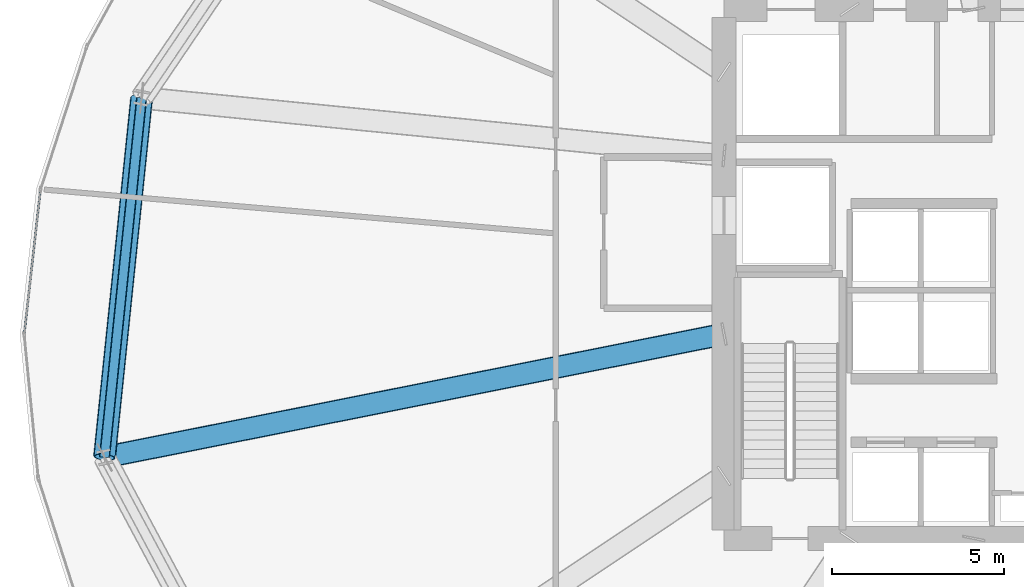
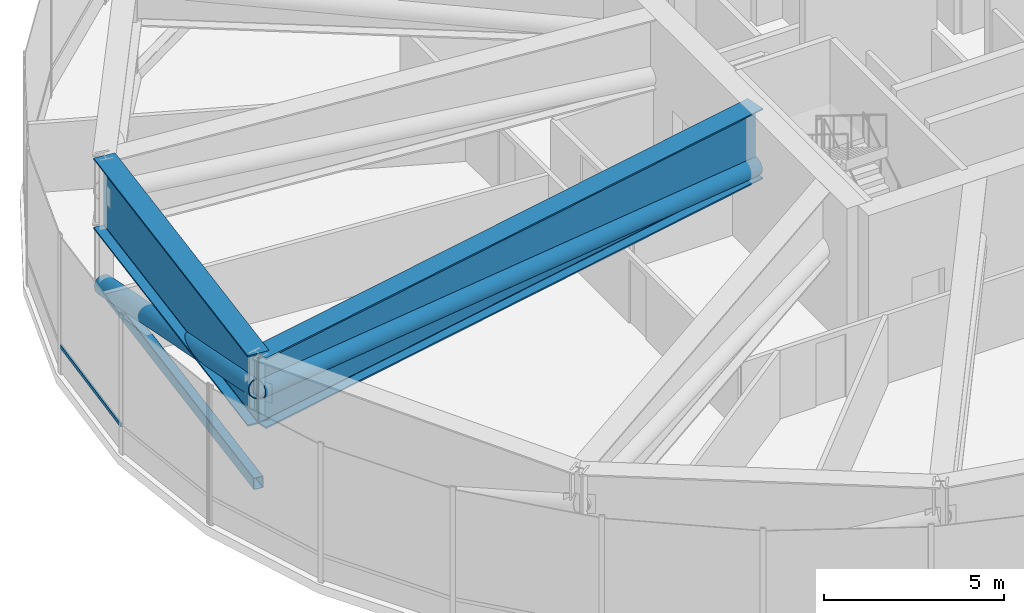
# One storey, part 8 of 33: 4 members, 2 beams, 1 element without a shape of its own.
"""IFC4 building model written with IfcOpenShell, lengths in metres."""

from ifc_helpers import new_model, si_unit, direction, frame, origin, origin_2d, place, context, subcontext, project, spatial, hollow_rectangle, hollow_circle, i_section, extrude, source, transform, mapped, material, layer, layer_set, material_profile, profile_set, type_object, element, aggregate, save


model = new_model("IFC4")

# Units and contexts
model_context = context("Model", 3, precision=1e-05, world=origin(), true_north=direction((0.0, 1.0)))
body_context = subcontext(model_context, "Body", "Model", "MODEL_VIEW")
ifc_project = project(units=[si_unit("LENGTHUNIT", "METRE"), si_unit("AREAUNIT", "SQUARE_METRE"), si_unit("VOLUMEUNIT", "CUBIC_METRE"), si_unit("PLANEANGLEUNIT", "RADIAN"), si_unit("MASSUNIT", "GRAM", prefix="KILO"), si_unit("THERMODYNAMICTEMPERATUREUNIT", "KELVIN")], contexts=[model_context])

# Site, building, storey
site_placement = place(None, origin())
site = spatial("IfcSite", under=ifc_project, at=site_placement, CompositionType="ELEMENT")
building_placement = place(site_placement, origin())
building = spatial("IfcBuilding", under=site, at=building_placement, Name="Kethvar Cultural Tower", CompositionType="ELEMENT")
storey_placement = place(building_placement, frame((0.0, 0.0, 80.39990234375)))
storey = spatial("IfcBuildingStorey", under=building, at=storey_placement, Name="L19", CompositionType="ELEMENT", Elevation=80.39990234375)

# Beam
ifc_material_1 = material(Name="Steel S460M", Category="steel")
ifc_material_profile_1 = material_profile(ifc_material_1, i_section(OverallWidth=0.64990234375, OverallDepth=2.39990234375, WebThickness=0.030029296875, FlangeThickness=0.048095703125, FilletRadius=0.02197265625, at=origin_2d()), Name="Steel S460M — PG2400x650x48x30")
ifc_profile_set_1 = profile_set([ifc_material_profile_1], Name="Steel S460M — PG2400x650x48x30")
beam_type = type_object("IfcBeamType", Name="BM-TR2400", PredefinedType="BEAM", material=ifc_profile_set_1)
shared_shape_1 = source(origin(), body_context, "Body", "SweptSolid", [
    extrude(i_section(OverallWidth=0.64990234375, OverallDepth=2.39990234375, WebThickness=0.030029296875, FlangeThickness=0.048095703125, FilletRadius=0.02197265625, at=origin_2d()), origin(), (0.0, 0.0, 1.0), 10.515869140625),
])
beam_1_placement = place(storey_placement, frame((21.047119140625, 32.922607421875, 3.55810546875), z_axis=(-0.102824694973, -0.994699493367, 0.0), x_axis=(0.994699493367, -0.102824694973, 0.0)))
element("IfcBeam", 1, at=beam_1_placement, inside=storey, type_object=beam_type, Name="L19 Ring Belt Girder BG-08", PredefinedType="BEAM", context=body_context, shape_type="MappedRepresentation", body=[
    mapped(shared_shape_1, transform((0.0, 0.0, 0.0), scale=1.0)),
])

# Members
ifc_material_profile_2 = material_profile(ifc_material_1, hollow_rectangle(XDim=0.300048828125, YDim=0.39990234375, WallThickness=0.01611328125, InnerFilletRadius=0.01611328125, OuterFilletRadius=0.031982421875, at=origin_2d()), Name="Steel S460M — RHS400x300x16")
ifc_profile_set_2 = profile_set([ifc_material_profile_2], Name="Steel S460M — RHS400x300x16")
member_type_1 = type_object("IfcMemberType", Name="MB-CHD-400", PredefinedType="CHORD", material=ifc_profile_set_2)
shared_shape_2 = source(origin(), body_context, "Body", "SweptSolid", [
    extrude(hollow_rectangle(XDim=0.300048828125, YDim=0.39990234375, WallThickness=0.01611328125, InnerFilletRadius=0.01611328125, OuterFilletRadius=0.031982421875, at=origin_2d()), origin(), (0.0, 0.0, 1.0), 10.515869140625),
])
member_1_placement = place(storey_placement, frame((21.047119140625, 32.922607421875, 0.35009765625), z_axis=(-0.102824694973, -0.994699493367, 0.0), x_axis=(0.994699493367, -0.102824694973, 0.0)))
element("IfcMember", 2, at=member_1_placement, inside=storey, type_object=member_type_1, Name="L19 Ring Belt Bottom Chord BC-08", PredefinedType="CHORD", context=body_context, shape_type="MappedRepresentation", body=[
    mapped(shared_shape_2, transform((0.0, 0.0, 0.0), scale=1.0)),
])
ifc_material_profile_3 = material_profile(ifc_material_1, hollow_circle(Radius=0.304931640625, WallThickness=0.02490234375, at=origin_2d()), Name="Steel S460M — CHS610x25")
ifc_profile_set_3 = profile_set([ifc_material_profile_3], Name="Steel S460M — CHS610x25")
member_type_2 = type_object("IfcMemberType", Name="MB-OUT-610", PredefinedType="BRACE", material=ifc_profile_set_3)
shared_shape_3 = source(origin(), body_context, "Body", "SweptSolid", [
    extrude(hollow_circle(Radius=0.304931640625, WallThickness=0.02490234375, at=origin_2d()), origin(), (0.0, 0.0, 1.0), 10.994384765625),
])
member_2_placement = place(storey_placement, frame((21.047119140625, 32.922607421875, 0.35009765625), z_axis=(-0.098350133322, -0.951413741742, 0.291786125954), x_axis=(0.994699493367, -0.102824694973, 0.0)))
element("IfcMember", 3, at=member_2_placement, inside=storey, type_object=member_type_2, Name="L19 Ring Belt Diagonal BD-08", PredefinedType="BRACE", context=body_context, shape_type="MappedRepresentation", body=[
    mapped(shared_shape_3, transform((0.0, 0.0, 0.0), scale=1.0)),
])

# Beam
shared_shape_4 = source(origin(), body_context, "Body", "SweptSolid", [
    extrude(i_section(OverallWidth=0.64990234375, OverallDepth=2.39990234375, WebThickness=0.030029296875, FlangeThickness=0.048095703125, FilletRadius=0.02197265625, at=origin_2d()), origin(), (0.0, 0.0, 1.0), 18.387451171875),
])
beam_2_placement = place(storey_placement, frame((38.0, 26.049560546875, 3.55810546875), z_axis=(-0.980785937774, -0.195087017162, 0.0), x_axis=(0.195087017162, -0.980785937774, 0.0)))
element("IfcBeam", 4, at=beam_2_placement, inside=storey, type_object=beam_type, Name="L19 Outrigger Transfer Girder OG-09", PredefinedType="BEAM", context=body_context, shape_type="MappedRepresentation", body=[
    mapped(shared_shape_4, transform((0.0, 0.0, 0.0), scale=1.0)),
])

# Member
shared_shape_5 = source(origin(), body_context, "Body", "SweptSolid", [
    extrude(hollow_circle(Radius=0.304931640625, WallThickness=0.02490234375, at=origin_2d()), origin(), (0.0, 0.0, 1.0), 18.409912109375),
])
member_3_placement = place(storey_placement, frame((38.0, 26.049560546875, 2.650146484375), z_axis=(-0.979592392079, -0.194849610343, 0.0493191112), x_axis=(0.195087017162, -0.980785937774, 0.0)))
element("IfcMember", 5, at=member_3_placement, inside=storey, type_object=member_type_2, Name="L19 Outrigger Truss Diagonal OB-09", PredefinedType="BRACE", context=body_context, shape_type="MappedRepresentation", body=[
    mapped(shared_shape_5, transform((0.0, 0.0, 0.0), scale=1.0)),
])

# Curtain wall, member
ifc_material_2 = material(Name="Aluminium 6063-T6", Category="aluminium")
ifc_layer = layer(ifc_material_2, 0.179931640625, Name="Aluminium 6063-T6", Category="aluminium")
ifc_layer_set = layer_set([ifc_layer], Name="Aluminium 6063-T6 (180 mm)")
curtain_wall_type = type_object("IfcCurtainWallType", Name="CW-SYS-02-Z1", PredefinedType="NOTDEFINED", material=ifc_layer_set)
curtain_wall_placement = place(storey_placement, origin())
curtain_wall = element("IfcCurtainWall", 6, at=curtain_wall_placement, inside=storey, type_object=curtain_wall_type, Name="L19 Curtain Wall Run 03", PredefinedType="NOTDEFINED")
ifc_material_profile_4 = material_profile(ifc_material_2, hollow_rectangle(XDim=0.054931640625, YDim=0.1201171875, WallThickness=0.00390625, at=origin_2d()), Name="Aluminium 6063-T6 — RHS120x55x4")
ifc_profile_set_4 = profile_set([ifc_material_profile_4], Name="Aluminium 6063-T6 — RHS120x55x4")
member_type_3 = type_object("IfcMemberType", Name="CW-SYS-02-Z1-TRN", PredefinedType="USERDEFINED", material=ifc_profile_set_4)
shared_shape_6 = source(origin(), body_context, "Body", "SweptSolid", [
    extrude(hollow_rectangle(XDim=0.054931640625, YDim=0.1201171875, WallThickness=0.00390625, at=origin_2d()), origin(), (0.0, 0.0, 1.0), 4.189453125),
])
member_4_placement = place(storey_placement, frame((18.09765625, 30.217529296875, 0.9501953125), z_axis=(-0.111422866293, -0.9937730852, 0.0), x_axis=(0.9937730852, -0.111422866293, 0.0)))
member_4 = element("IfcMember", 7, at=member_4_placement, type_object=member_type_3, Name="CW-L19-R03 Transom 5", ObjectType="TRANSOM", PredefinedType="USERDEFINED", context=body_context, shape_type="MappedRepresentation", body=[
    mapped(shared_shape_6, transform((0.0, 0.0, 0.0), scale=1.0)),
])
aggregate(curtain_wall, [member_4])

save(model, "model.ifc")
